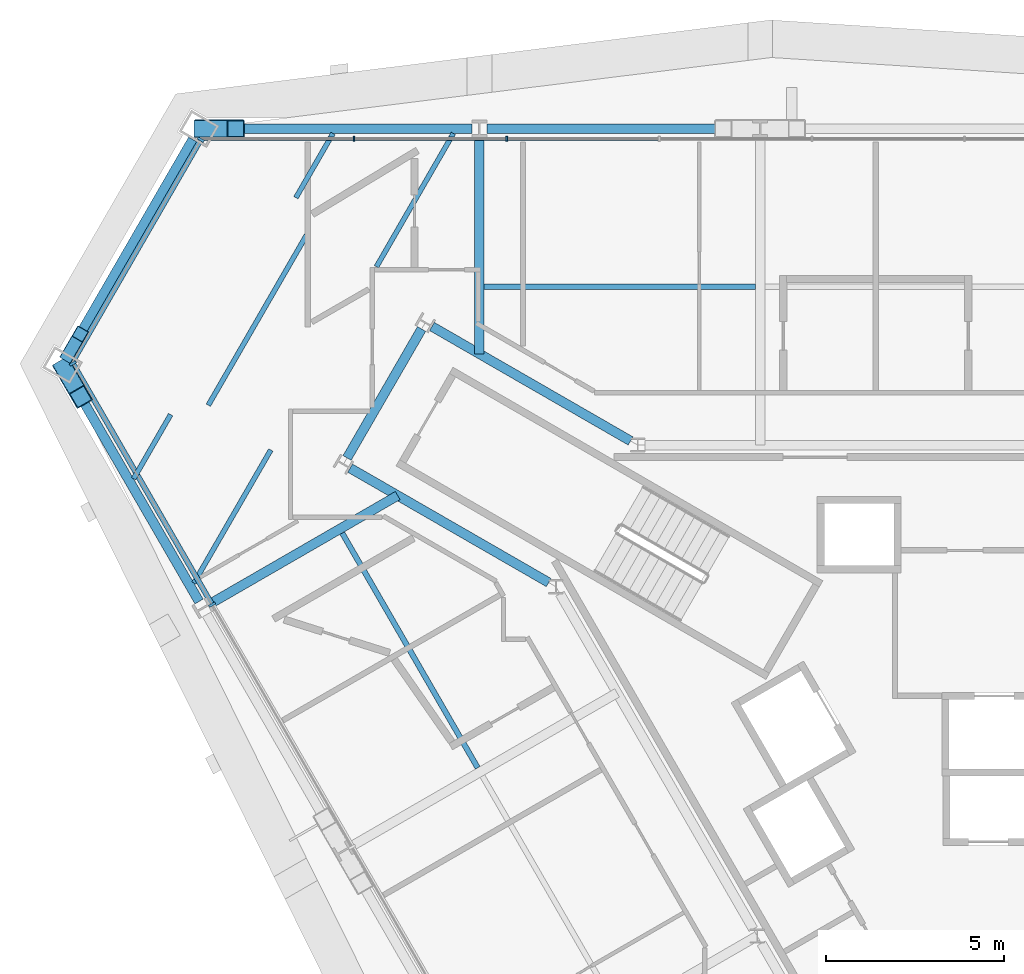
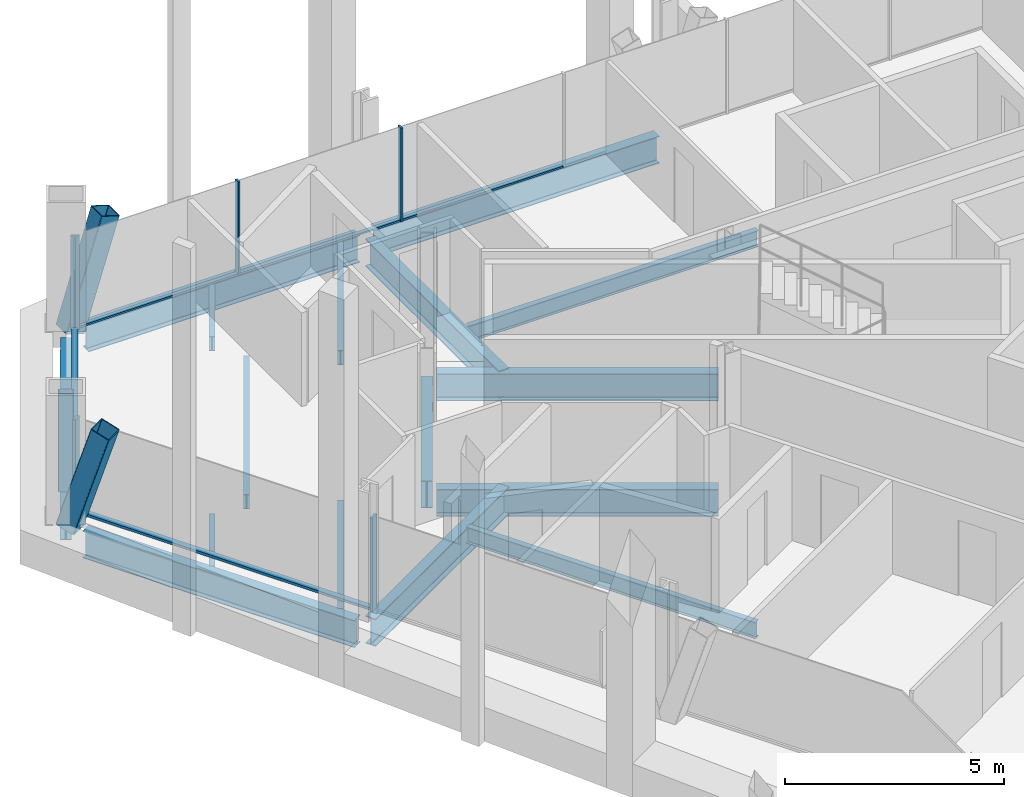
# One storey, part 6 of 17: 16 beams, 13 members, 3 elements without a shape of their own.
"""IFC4 building model written with IfcOpenShell, lengths in metres."""

from ifc_helpers import new_model, si_unit, direction, frame, origin, origin_2d, place, context, subcontext, project, spatial, rectangle, hollow_rectangle, i_section, extrude, material, material_profile, profile_set, type_object, element, aggregate, save


model = new_model("IFC4")

# Units and contexts
model_context = context("Model", 3, precision=1e-05, world=origin(), true_north=direction((0.0, 1.0)))
body_context = subcontext(model_context, "Body", "Model", "MODEL_VIEW")
ifc_project = project(units=[si_unit("LENGTHUNIT", "METRE"), si_unit("AREAUNIT", "SQUARE_METRE"), si_unit("VOLUMEUNIT", "CUBIC_METRE"), si_unit("PLANEANGLEUNIT", "RADIAN"), si_unit("MASSUNIT", "GRAM", prefix="KILO")], contexts=[model_context])

# Site, building, storey
site_placement = place(None, origin())
site = spatial("IfcSite", under=ifc_project, at=site_placement, CompositionType="ELEMENT")
building_placement = place(site_placement, origin())
building = spatial("IfcBuilding", under=site, at=building_placement, Name="Verrane Prism Tower", CompositionType="ELEMENT")
storey_placement = place(building_placement, frame((0.0, 0.0, 92.800048828125)))
storey = spatial("IfcBuildingStorey", under=building, at=storey_placement, Name="L21", CompositionType="ELEMENT", Elevation=92.800048828125)

# Member
ifc_material_1 = material(Name="Steel A500 Grade C", Category="steel")
ifc_material_profile_1 = material_profile(ifc_material_1, hollow_rectangle(XDim=0.355712890625, YDim=0.355712890625, WallThickness=0.0126953125, InnerFilletRadius=0.00634765625, OuterFilletRadius=0.01904296875, at=origin_2d()), Name="HSS14x14x1/2")
ifc_profile_set_1 = profile_set([ifc_material_profile_1], Name="Steel A500 Grade C")
member_type_1 = type_object("IfcMemberType", Name="Chamfer brace HSS14x14x1/2", PredefinedType="BRACE", material=ifc_profile_set_1)
member_1_placement = place(storey_placement, frame((-27.33984375, 11.72705078125, 0.5078125), z_axis=(0.145831104884, 0.25201275634, 0.956672806915), x_axis=(-0.865532026692, 0.500853582167, 0.0)))
element("IfcMember", 1, at=member_1_placement, inside=storey, type_object=member_type_1, Name="Chamfer brace NW0 L21", PredefinedType="BRACE", context=body_context, shape_type="SweptSolid", body=[
    extrude(hollow_rectangle(XDim=0.355712890625, YDim=0.355712890625, WallThickness=0.0126953125, InnerFilletRadius=0.00634765625, OuterFilletRadius=0.01904296875, at=origin_2d()), origin(), (0.0, 0.0, 1.0), 2.35205078125),
])

# Beams
ifc_material_2 = material(Name="Steel A992", Category="steel")
ifc_material_profile_2 = material_profile(ifc_material_2, i_section(OverallWidth=0.2666015625, OverallDepth=0.76708984375, WebThickness=0.014892578125, FlangeThickness=0.023681640625, FilletRadius=0.0166015625, at=origin_2d()), Name="W30x124")
ifc_profile_set_2 = profile_set([ifc_material_profile_2], Name="Steel A992")
beam_type_1 = type_object("IfcBeamType", Name="Chamfer spandrel beam W30x124", PredefinedType="SPANDREL", material=ifc_profile_set_2)
beam_1_placement = place(storey_placement, frame((-23.835205078125, 17.787109375, -0.54345703125), z_axis=(-0.500609590055, -0.865673170628, 0.0), x_axis=(0.865673170628, -0.500609590055, 0.0)))
element("IfcBeam", 2, at=beam_1_placement, inside=storey, type_object=beam_type_1, Name="Chamfer spandrel beam L21", PredefinedType="SPANDREL", context=body_context, shape_type="SweptSolid", body=[
    extrude(i_section(OverallWidth=0.2666015625, OverallDepth=0.76708984375, WebThickness=0.014892578125, FlangeThickness=0.023681640625, FilletRadius=0.0166015625, at=origin_2d()), origin(), (0.0, 0.0, 1.0), 6.970458984375),
])
ifc_material_3 = material(Name="Steel A992", Category="steel")
ifc_material_profile_3 = material_profile(ifc_material_3, i_section(OverallWidth=0.2666015625, OverallDepth=0.7568359375, WebThickness=0.013916015625, FlangeThickness=0.019287109375, FilletRadius=0.0166015625, at=origin_2d()), Name="W30x108")
ifc_profile_set_3 = profile_set([ifc_material_profile_3], Name="Steel A992")
beam_type_2 = type_object("IfcBeamType", Name="Core ring girder W30x108", PredefinedType="BEAM", material=ifc_profile_set_3)
beam_2_placement = place(storey_placement, frame((-11.53076171875, 9.315673828125, -0.628662109375), z_axis=(-0.866455532004, 0.499254254924, 0.0), x_axis=(-0.499254254924, -0.866455532004, 0.0)))
element("IfcBeam", 3, at=beam_2_placement, inside=storey, type_object=beam_type_2, Name="Core ring girder L21", PredefinedType="BEAM", context=body_context, shape_type="SweptSolid", body=[
    extrude(i_section(OverallWidth=0.2666015625, OverallDepth=0.7568359375, WebThickness=0.013916015625, FlangeThickness=0.019287109375, FilletRadius=0.0166015625, at=origin_2d()), origin(), (0.0, 0.0, 1.0), 6.441162109375),
])
beam_3_placement = place(storey_placement, frame((-17.40283203125, 12.4619140625, -0.628662109375), z_axis=(-0.500367003619, -0.865813410435, 0.0), x_axis=(0.865813410435, -0.500367003619, 0.0)))
element("IfcBeam", 4, at=beam_3_placement, inside=storey, type_object=beam_type_2, Name="Core ring girder L21", PredefinedType="BEAM", context=body_context, shape_type="SweptSolid", body=[
    extrude(i_section(OverallWidth=0.2666015625, OverallDepth=0.7568359375, WebThickness=0.013916015625, FlangeThickness=0.019287109375, FilletRadius=0.0166015625, at=origin_2d()), origin(), (0.0, 0.0, 1.0), 4.185302734375),
])
beam_4_placement = place(storey_placement, frame((-19.411865234375, 8.551513671875, -0.628662109375), z_axis=(0.866455532004, -0.499254254924, 0.0), x_axis=(0.499254254924, 0.866455532004, 0.0)))
element("IfcBeam", 5, at=beam_4_placement, inside=storey, type_object=beam_type_2, Name="Core ring girder L21", PredefinedType="BEAM", context=body_context, shape_type="SweptSolid", body=[
    extrude(i_section(OverallWidth=0.2666015625, OverallDepth=0.7568359375, WebThickness=0.013916015625, FlangeThickness=0.019287109375, FilletRadius=0.0166015625, at=origin_2d()), origin(), (0.0, 0.0, 1.0), 6.441162109375),
])

# Members
ifc_material_4 = material(Name="Steel A1085 Grade A", Category="steel")
ifc_material_profile_4 = material_profile(ifc_material_4, hollow_rectangle(XDim=0.508056640625, YDim=0.508056640625, WallThickness=0.025390625, InnerFilletRadius=0.0126953125, OuterFilletRadius=0.0380859375, at=origin_2d()), Name="HSS20x20x1")
ifc_profile_set_4 = profile_set([ifc_material_profile_4], Name="Steel A1085 Grade A")
member_type_2 = type_object("IfcMemberType", Name="Facade brace HSS20x20x1", PredefinedType="BRACE", material=ifc_profile_set_4)
member_2_placement = place(storey_placement, frame((-23.553466796875, 18.090087890625, -0.19775390625), z_axis=(0.298480936236, 0.0, 0.954415596427), x_axis=(0.0, 1.0, 0.0)))
element("IfcMember", 6, at=member_2_placement, inside=storey, type_object=member_type_2, Name="Facade brace N5 L21", PredefinedType="BRACE", context=body_context, shape_type="SweptSolid", body=[
    extrude(hollow_rectangle(XDim=0.508056640625, YDim=0.508056640625, WallThickness=0.025390625, InnerFilletRadius=0.0126953125, OuterFilletRadius=0.0380859375, at=origin_2d()), origin(), (0.0, 0.0, 1.0), 3.10498046875),
])
member_3_placement = place(storey_placement, frame((-27.446533203125, 11.357666015625, -0.19775390625), z_axis=(0.149540156627, -0.258668304576, 0.954320936459), x_axis=(0.865738394228, 0.500496785964, 0.0)))
element("IfcMember", 7, at=member_3_placement, inside=storey, type_object=member_type_2, Name="Facade brace SW0 L21", PredefinedType="BRACE", context=body_context, shape_type="SweptSolid", body=[
    extrude(hollow_rectangle(XDim=0.508056640625, YDim=0.508056640625, WallThickness=0.025390625, InnerFilletRadius=0.0126953125, OuterFilletRadius=0.0380859375, at=origin_2d()), origin(), (0.0, 0.0, 1.0), 3.105224609375),
])

# Beams
ifc_material_5 = material(Name="Steel A992", Category="steel")
ifc_material_profile_5 = material_profile(ifc_material_5, i_section(OverallWidth=0.140380859375, OverallDepth=0.40380859375, WebThickness=0.007080078125, FlangeThickness=0.01123046875, FilletRadius=0.01025390625, at=origin_2d()), Name="W16x31")
ifc_profile_set_5 = profile_set([ifc_material_profile_5], Name="Steel A992")
beam_type_3 = type_object("IfcBeamType", Name="Floor beam W16x31", PredefinedType="BEAM", material=ifc_profile_set_5)
beam_5_placement = place(storey_placement, frame((-18.671875, 14.210693359375, -0.362060546875), z_axis=(0.499987927251, 0.866032373877, 0.0), x_axis=(-0.866032373877, 0.499987927251, 0.0)))
element("IfcBeam", 8, at=beam_5_placement, inside=storey, type_object=beam_type_3, Name="Floor beam L21", PredefinedType="BEAM", context=body_context, shape_type="SweptSolid", body=[
    extrude(i_section(OverallWidth=0.140380859375, OverallDepth=0.40380859375, WebThickness=0.007080078125, FlangeThickness=0.01123046875, FilletRadius=0.01025390625, at=origin_2d()), origin(), (0.0, 0.0, 1.0), 4.3251953125),
])
beam_6_placement = place(storey_placement, frame((-20.93505859375, 16.150146484375, -0.362060546875), z_axis=(0.500016271356, 0.866016009309, 0.0), x_axis=(-0.866016009309, 0.500016271356, 0.0)))
element("IfcBeam", 9, at=beam_6_placement, inside=storey, type_object=beam_type_3, Name="Floor beam L21", PredefinedType="BEAM", context=body_context, shape_type="SweptSolid", body=[
    extrude(i_section(OverallWidth=0.140380859375, OverallDepth=0.40380859375, WebThickness=0.007080078125, FlangeThickness=0.01123046875, FilletRadius=0.01025390625, at=origin_2d()), origin(), (0.0, 0.0, 1.0), 2.0859375),
])
beam_7_placement = place(storey_placement, frame((-23.80126953125, 5.321044921875, -0.362060546875), z_axis=(0.500004540241, 0.866022782459, 0.0), x_axis=(-0.866022782459, 0.500004540241, 0.0)))
element("IfcBeam", 10, at=beam_7_placement, inside=storey, type_object=beam_type_3, Name="Floor beam L21", PredefinedType="BEAM", context=body_context, shape_type="SweptSolid", body=[
    extrude(i_section(OverallWidth=0.140380859375, OverallDepth=0.40380859375, WebThickness=0.007080078125, FlangeThickness=0.01123046875, FilletRadius=0.01025390625, at=origin_2d()), origin(), (0.0, 0.0, 1.0), 4.3203125),
])
beam_8_placement = place(storey_placement, frame((-25.49658203125, 8.25244140625, -0.362060546875), z_axis=(0.500084280142, 0.865976739154, 0.0), x_axis=(-0.865976739154, 0.500084280142, 0.0)))
element("IfcBeam", 11, at=beam_8_placement, inside=storey, type_object=beam_type_3, Name="Floor beam L21", PredefinedType="BEAM", context=body_context, shape_type="SweptSolid", body=[
    extrude(i_section(OverallWidth=0.140380859375, OverallDepth=0.40380859375, WebThickness=0.007080078125, FlangeThickness=0.01123046875, FilletRadius=0.01025390625, at=origin_2d()), origin(), (0.0, 0.0, 1.0), 2.083251953125),
])
beam_9_placement = place(storey_placement, frame((-23.396484375, 10.319091796875, -0.362060546875), z_axis=(0.499999210213, 0.866025859768, 0.0), x_axis=(-0.866025859768, 0.499999210213, 0.0)))
element("IfcBeam", 12, at=beam_9_placement, inside=storey, type_object=beam_type_3, Name="Floor beam L21", PredefinedType="BEAM", context=body_context, shape_type="SweptSolid", body=[
    extrude(i_section(OverallWidth=0.140380859375, OverallDepth=0.40380859375, WebThickness=0.007080078125, FlangeThickness=0.01123046875, FilletRadius=0.01025390625, at=origin_2d()), origin(), (0.0, 0.0, 1.0), 5.5234375),
])
ifc_material_6 = material(Name="Steel A992", Category="steel")
ifc_material_profile_6 = material_profile(ifc_material_6, i_section(OverallWidth=0.15234375, OverallDepth=0.449462890625, WebThickness=0.007568359375, FlangeThickness=0.0107421875, FilletRadius=0.01025390625, at=origin_2d()), Name="W18x35")
ifc_profile_set_6 = profile_set([ifc_material_profile_6], Name="Steel A992")
beam_type_4 = type_object("IfcBeamType", Name="Floor beam W18x35", PredefinedType="BEAM", material=ifc_profile_set_6)
beam_10_placement = place(storey_placement, frame((-15.646484375, 13.64501953125, -0.384765625), z_axis=(1.0, 0.0, 0.0), x_axis=(0.0, 1.0, 0.0)))
element("IfcBeam", 13, at=beam_10_placement, inside=storey, type_object=beam_type_4, Name="Floor beam L21", PredefinedType="BEAM", context=body_context, shape_type="SweptSolid", body=[
    extrude(i_section(OverallWidth=0.15234375, OverallDepth=0.449462890625, WebThickness=0.007568359375, FlangeThickness=0.0107421875, FilletRadius=0.01025390625, at=origin_2d()), origin(), (0.0, 0.0, 1.0), 7.623046875),
])
beam_11_placement = place(storey_placement, frame((-15.82666015625, 0.130615234375, -0.384765625), z_axis=(-0.49997412077, 0.866040344649, 0.0), x_axis=(-0.866040344649, -0.49997412077, 0.0)))
element("IfcBeam", 14, at=beam_11_placement, inside=storey, type_object=beam_type_4, Name="Floor beam L21", PredefinedType="BEAM", context=body_context, shape_type="SweptSolid", body=[
    extrude(i_section(OverallWidth=0.15234375, OverallDepth=0.449462890625, WebThickness=0.007568359375, FlangeThickness=0.0107421875, FilletRadius=0.01025390625, at=origin_2d()), origin(), (0.0, 0.0, 1.0), 7.61376953125),
])

# Curtain wall, members
ifc_material_7 = material(Name="Aluminium framed insulated glazing", Category="aluminium")
curtain_wall_type_1 = type_object("IfcCurtainWallType", Name="Curtain wall CW-C 4200 module", PredefinedType="NOTDEFINED", material=ifc_material_7)
curtain_wall_1_placement = place(storey_placement, origin())
curtain_wall_1 = element("IfcCurtainWall", 15, at=curtain_wall_1_placement, inside=storey, type_object=curtain_wall_type_1, Name="Glazed curtain wall north face L21", PredefinedType="NOTDEFINED")
ifc_material_8 = material(Name="Aluminium alloy 6063-T6", Category="aluminium")
ifc_material_profile_7 = material_profile(ifc_material_8, rectangle(XDim=0.139892578125, YDim=0.050048828125, at=origin_2d()), Name="Mullion 50x140 aluminium")
ifc_profile_set_7 = profile_set([ifc_material_profile_7], Name="Aluminium alloy 6063-T6")
member_type_3 = type_object("IfcMemberType", Name="Mullion 50x140 aluminium", PredefinedType="MULLION", material=ifc_profile_set_7)
member_4_placement = place(storey_placement, frame((-15.01171875, 17.81103515625, 0.0), z_axis=(0.0, 0.0, 1.0), x_axis=(0.0, -1.0, 0.0)))
member_4 = element("IfcMember", 16, at=member_4_placement, type_object=member_type_3, Name="CW21.2 mullion 10", PredefinedType="MULLION", context=body_context, shape_type="SweptSolid", body=[
    extrude(rectangle(XDim=0.139892578125, YDim=0.050048828125, at=origin_2d()), origin(), (0.0, 0.0, 1.0), 2.61279296875),
])
member_5_placement = place(storey_placement, frame((-19.30078125, 17.81103515625, 0.0), z_axis=(0.0, 0.0, 1.0), x_axis=(0.0, -1.0, 0.0)))
member_5 = element("IfcMember", 17, at=member_5_placement, type_object=member_type_3, Name="CW21.2 mullion 11", PredefinedType="MULLION", context=body_context, shape_type="SweptSolid", body=[
    extrude(rectangle(XDim=0.139892578125, YDim=0.050048828125, at=origin_2d()), origin(), (0.0, 0.0, 1.0), 2.61279296875),
])

# Curtain wall, member
ifc_material_9 = material(Name="Aluminium framed insulated glazing", Category="aluminium")
curtain_wall_type_2 = type_object("IfcCurtainWallType", Name="Curtain wall CW-A 8400 module", PredefinedType="NOTDEFINED", material=ifc_material_9)
curtain_wall_2_placement = place(storey_placement, origin())
curtain_wall_2 = element("IfcCurtainWall", 18, at=curtain_wall_2_placement, inside=storey, type_object=curtain_wall_type_2, Name="Glazed curtain wall north-west corner L21", PredefinedType="NOTDEFINED")
ifc_material_10 = material(Name="Aluminium alloy 6063-T6", Category="aluminium")
ifc_material_profile_8 = material_profile(ifc_material_10, rectangle(XDim=0.199951171875, YDim=0.070068359375, at=origin_2d()), Name="Mullion 70x200 aluminium")
ifc_profile_set_8 = profile_set([ifc_material_profile_8], Name="Aluminium alloy 6063-T6")
member_type_4 = type_object("IfcMemberType", Name="Mullion 70x200 aluminium", PredefinedType="MULLION", material=ifc_profile_set_8)
member_6_placement = place(storey_placement, frame((-23.607177734375, 17.78076171875, 0.0), z_axis=(0.0, 0.0, 1.0), x_axis=(0.866026394632, -0.499998283797, 0.0)))
member_6 = element("IfcMember", 19, at=member_6_placement, type_object=member_type_4, Name="CW21.3 mullion 1", PredefinedType="MULLION", context=body_context, shape_type="SweptSolid", body=[
    extrude(rectangle(XDim=0.199951171875, YDim=0.070068359375, at=origin_2d()), origin(), (0.0, 0.0, 1.0), 2.61279296875),
])

# Curtain wall, members
curtain_wall_3_placement = place(storey_placement, origin())
curtain_wall_3 = element("IfcCurtainWall", 20, at=curtain_wall_3_placement, inside=storey, type_object=curtain_wall_type_2, Name="Glazed curtain wall south-west face L21", PredefinedType="NOTDEFINED")
member_7_placement = place(storey_placement, frame((-27.2021484375, 11.493408203125, 0.0), z_axis=(0.0, 0.0, 1.0), x_axis=(0.866025621383, 0.499999623108, 0.0)))
member_7 = element("IfcMember", 21, at=member_7_placement, type_object=member_type_4, Name="CW21.4 mullion 1", PredefinedType="MULLION", context=body_context, shape_type="SweptSolid", body=[
    extrude(rectangle(XDim=0.199951171875, YDim=0.070068359375, at=origin_2d()), origin(), (0.0, 0.0, 1.0), 2.61279296875),
])
member_8_placement = place(storey_placement, frame((-23.2880859375, 4.714111328125, 0.0), z_axis=(0.0, 0.0, 1.0), x_axis=(0.866025621383, 0.499999623108, 0.0)))
member_8 = element("IfcMember", 22, at=member_8_placement, type_object=member_type_4, Name="CW21.4 mullion 2", PredefinedType="MULLION", context=body_context, shape_type="SweptSolid", body=[
    extrude(rectangle(XDim=0.199951171875, YDim=0.070068359375, at=origin_2d()), origin(), (0.0, 0.0, 1.0), 2.61279296875),
])

# Beams
ifc_material_11 = material(Name="Steel A992", Category="steel")
ifc_material_profile_9 = material_profile(ifc_material_11, i_section(OverallWidth=0.2666015625, OverallDepth=0.76708984375, WebThickness=0.014892578125, FlangeThickness=0.023681640625, FilletRadius=0.0166015625, at=origin_2d()), Name="W30x124")
ifc_profile_set_9 = profile_set([ifc_material_profile_9], Name="Steel A992")
beam_type_5 = type_object("IfcBeamType", Name="Radial girder W30x124", PredefinedType="BEAM", material=ifc_profile_set_9)
beam_12_placement = place(storey_placement, frame((-15.780029296875, 17.8525390625, -0.603515625), z_axis=(0.0, -1.0, 0.0), x_axis=(1.0, 0.0, 0.0)))
element("IfcBeam", 23, at=beam_12_placement, inside=storey, type_object=beam_type_5, Name="Radial girder L21", PredefinedType="BEAM", context=body_context, shape_type="SweptSolid", body=[
    extrude(i_section(OverallWidth=0.2666015625, OverallDepth=0.76708984375, WebThickness=0.014892578125, FlangeThickness=0.023681640625, FilletRadius=0.0166015625, at=origin_2d()), origin(), (0.0, 0.0, 1.0), 6.08837890625),
])
beam_13_placement = place(storey_placement, frame((-23.34423828125, 4.73876953125, -0.603515625), z_axis=(0.866034580849, 0.49998410452, 0.0), x_axis=(-0.49998410452, 0.866034580849, 0.0)))
element("IfcBeam", 24, at=beam_13_placement, inside=storey, type_object=beam_type_5, Name="Radial girder L21", PredefinedType="BEAM", context=body_context, shape_type="SweptSolid", body=[
    extrude(i_section(OverallWidth=0.2666015625, OverallDepth=0.76708984375, WebThickness=0.014892578125, FlangeThickness=0.023681640625, FilletRadius=0.0166015625, at=origin_2d()), origin(), (0.0, 0.0, 1.0), 6.084716796875),
])
ifc_material_12 = material(Name="Steel A992", Category="steel")
ifc_material_profile_10 = material_profile(ifc_material_12, i_section(OverallWidth=0.2666015625, OverallDepth=0.7568359375, WebThickness=0.013916015625, FlangeThickness=0.019287109375, FilletRadius=0.0166015625, at=origin_2d()), Name="W30x108")
ifc_profile_set_10 = profile_set([ifc_material_profile_10], Name="Steel A992")
beam_type_6 = type_object("IfcBeamType", Name="Spandrel beam W30x108", PredefinedType="SPANDREL", material=ifc_profile_set_10)
beam_14_placement = place(storey_placement, frame((-8.10205078125, 18.090087890625, -0.53857421875), z_axis=(-1.0, 0.0, 0.0), x_axis=(0.0, -1.0, 0.0)))
element("IfcBeam", 25, at=beam_14_placement, inside=storey, type_object=beam_type_6, Name="Spandrel beam L21", PredefinedType="SPANDREL", context=body_context, shape_type="SweptSolid", body=[
    extrude(i_section(OverallWidth=0.2666015625, OverallDepth=0.7568359375, WebThickness=0.013916015625, FlangeThickness=0.019287109375, FilletRadius=0.0166015625, at=origin_2d()), origin(), (0.0, 0.0, 1.0), 7.4658203125),
])
beam_15_placement = place(storey_placement, frame((-15.9921875, 18.090087890625, -0.53857421875), z_axis=(-1.0, 0.0, 0.0), x_axis=(0.0, -1.0, 0.0)))
element("IfcBeam", 26, at=beam_15_placement, inside=storey, type_object=beam_type_6, Name="Spandrel beam L21", PredefinedType="SPANDREL", context=body_context, shape_type="SweptSolid", body=[
    extrude(i_section(OverallWidth=0.2666015625, OverallDepth=0.7568359375, WebThickness=0.013916015625, FlangeThickness=0.019287109375, FilletRadius=0.0166015625, at=origin_2d()), origin(), (0.0, 0.0, 1.0), 7.148193359375),
])
beam_16_placement = place(storey_placement, frame((-27.239990234375, 11.00048828125, -0.53857421875), z_axis=(0.50063155155, -0.865660470157, 0.0), x_axis=(0.865660470157, 0.50063155155, 0.0)))
element("IfcBeam", 27, at=beam_16_placement, inside=storey, type_object=beam_type_6, Name="Spandrel beam L21", PredefinedType="SPANDREL", context=body_context, shape_type="SweptSolid", body=[
    extrude(i_section(OverallWidth=0.2666015625, OverallDepth=0.7568359375, WebThickness=0.013916015625, FlangeThickness=0.019287109375, FilletRadius=0.0166015625, at=origin_2d()), origin(), (0.0, 0.0, 1.0), 7.158447265625),
])

# Member
ifc_material_13 = material(Name="Aluminium alloy 6063-T6", Category="aluminium")
ifc_material_profile_11 = material_profile(ifc_material_13, rectangle(XDim=0.10009765625, YDim=0.050048828125, at=origin_2d()), Name="Transom 50x100 aluminium")
ifc_profile_set_11 = profile_set([ifc_material_profile_11], Name="Aluminium alloy 6063-T6")
member_type_5 = type_object("IfcMemberType", Name="Transom 50x100 aluminium", PredefinedType="USERDEFINED", material=ifc_profile_set_11)
member_9_placement = place(storey_placement, frame((-10.74755859375, 17.81103515625, 0.02490234375), z_axis=(-1.0, 0.0, 0.0), x_axis=(0.0, -1.0, 0.0)))
member_9 = element("IfcMember", 28, at=member_9_placement, type_object=member_type_5, Name="CW21.2 transom 9", ObjectType="TRANSOM", PredefinedType="USERDEFINED", context=body_context, shape_type="SweptSolid", body=[
    extrude(rectangle(XDim=0.10009765625, YDim=0.050048828125, at=origin_2d()), origin(), (0.0, 0.0, 1.0), 4.239013671875),
])

member_10_placement = place(storey_placement, frame((-15.03662109375, 17.81103515625, 0.02490234375), z_axis=(-1.0, 0.0, 0.0), x_axis=(0.0, -1.0, 0.0)))
member_10 = element("IfcMember", 29, at=member_10_placement, type_object=member_type_5, Name="CW21.2 transom 10", ObjectType="TRANSOM", PredefinedType="USERDEFINED", context=body_context, shape_type="SweptSolid", body=[
    extrude(rectangle(XDim=0.10009765625, YDim=0.050048828125, at=origin_2d()), origin(), (0.0, 0.0, 1.0), 4.239013671875),
])

member_11_placement = place(storey_placement, frame((-19.32568359375, 17.81103515625, 0.02490234375), z_axis=(-1.0, 0.0, 0.0), x_axis=(0.0, -1.0, 0.0)))
member_11 = element("IfcMember", 30, at=member_11_placement, type_object=member_type_5, Name="CW21.2 transom 11", ObjectType="TRANSOM", PredefinedType="USERDEFINED", context=body_context, shape_type="SweptSolid", body=[
    extrude(rectangle(XDim=0.10009765625, YDim=0.050048828125, at=origin_2d()), origin(), (0.0, 0.0, 1.0), 4.263916015625),
])

aggregate(curtain_wall_1, [member_4, member_5, member_9, member_10, member_11])

ifc_material_14 = material(Name="Aluminium alloy 6063-T6", Category="aluminium")
ifc_material_profile_12 = material_profile(ifc_material_14, rectangle(XDim=0.14990234375, YDim=0.070068359375, at=origin_2d()), Name="Transom 70x150 aluminium")
ifc_profile_set_12 = profile_set([ifc_material_profile_12], Name="Aluminium alloy 6063-T6")
member_type_6 = type_object("IfcMemberType", Name="Transom 70x150 aluminium", PredefinedType="USERDEFINED", material=ifc_profile_set_12)
member_12_placement = place(storey_placement, frame((-23.624755859375, 17.75048828125, 0.034912109375), z_axis=(-0.499966418554, -0.866044791173, 0.0), x_axis=(0.866044791173, -0.499966418554, 0.0)))
member_12 = element("IfcMember", 31, at=member_12_placement, type_object=member_type_6, Name="CW21.3 transom 1", ObjectType="TRANSOM", PredefinedType="USERDEFINED", context=body_context, shape_type="SweptSolid", body=[
    extrude(rectangle(XDim=0.14990234375, YDim=0.070068359375, at=origin_2d()), origin(), (0.0, 0.0, 1.0), 7.18994140625),
])

aggregate(curtain_wall_2, [member_6, member_12])

member_13_placement = place(storey_placement, frame((-27.1845703125, 11.463134765625, 0.034912109375), z_axis=(0.50000756646, -0.866021035243, 0.0), x_axis=(0.866021035243, 0.50000756646, 0.0)))
member_13 = element("IfcMember", 32, at=member_13_placement, type_object=member_type_6, Name="CW21.4 transom 1", ObjectType="TRANSOM", PredefinedType="USERDEFINED", context=body_context, shape_type="SweptSolid", body=[
    extrude(rectangle(XDim=0.14990234375, YDim=0.070068359375, at=origin_2d()), origin(), (0.0, 0.0, 1.0), 7.75830078125),
])

aggregate(curtain_wall_3, [member_7, member_8, member_13])

save(model, "model.ifc")
